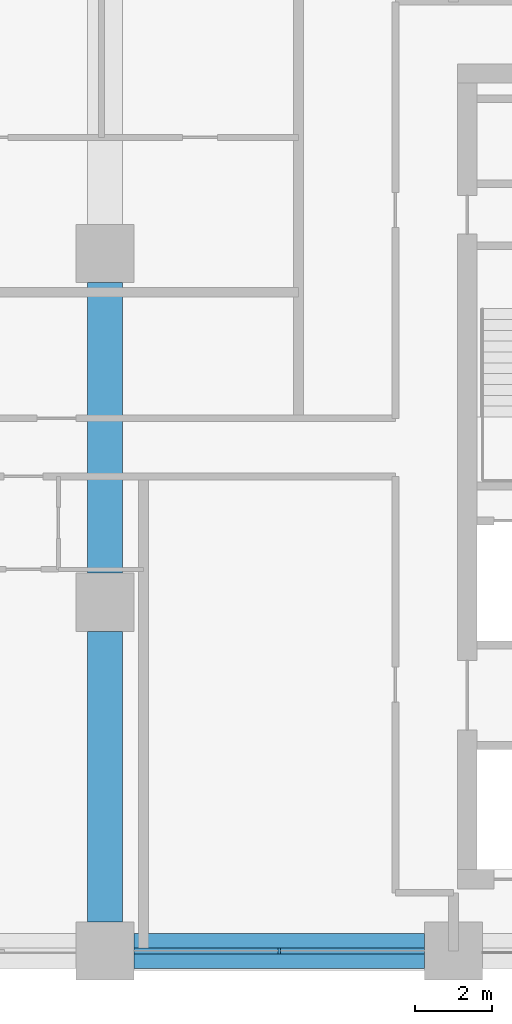
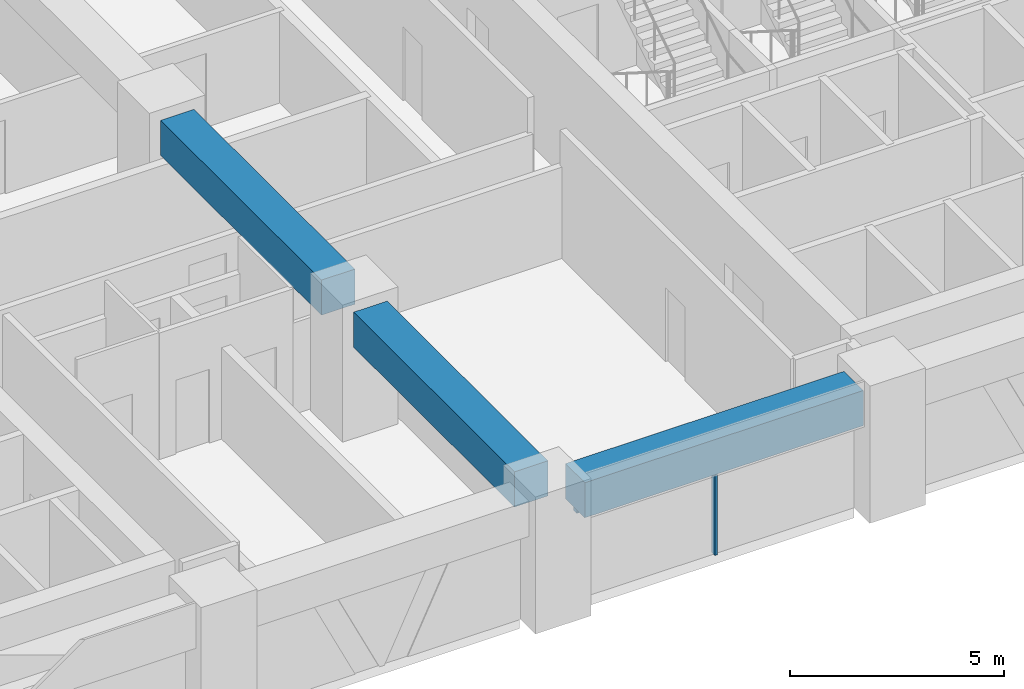
# One storey, part 3 of 14: 3 beams, 2 members, 1 element without a shape of its own.
"""IFC4 building model written with IfcOpenShell, lengths in metres."""

import ifcopenshell
import ifcopenshell.guid

model = None  # the IFC model being written
_history = None  # IfcOwnerHistory: only IFC2X3 demands one
_inside = {}  # id of a spatial element -> (the spatial element, [elements in it])
_under = {}  # id of a project, library or spatial element -> (it, [spatial elements below it])
_declared = {}  # id of a project -> (the project, [libraries it declares])
_typed = {}  # id of a type object -> (the type object, [elements of that type])
_made_of = {}  # id of a material, layer set ... -> (it, [elements and type objects made of it])


def new_model(schema):
    """Start an empty IFC model of exactly this schema.

    Asked for "IFC4X3", IfcOpenShell would pick the latest addendum, in which some entities
    have other attributes; the version numbers below select the first issue.
    IFC2X3 requires an IfcOwnerHistory on every rooted entity: one is made here for all.
    """
    global model, _history
    if schema == "IFC4X3":
        model = ifcopenshell.file(schema_version=(4, 3, 0, 0))
    else:
        model = ifcopenshell.file(schema=schema)
    _inside.clear()
    _under.clear()
    _declared.clear()
    _typed.clear()
    _made_of.clear()
    _history = None
    if model.schema == "IFC2X3":
        org = make("IfcOrganization", Name="unknown")
        user = make(
            "IfcPersonAndOrganization",
            ThePerson=make("IfcPerson", FamilyName="unknown"),
            TheOrganization=org,
        )
        app = make(
            "IfcApplication",
            ApplicationDeveloper=org,
            Version="unknown",
            ApplicationFullName="unknown",
            ApplicationIdentifier="unknown",
        )
        _history = make(
            "IfcOwnerHistory",
            OwningUser=user,
            OwningApplication=app,
            ChangeAction="ADDED",
            CreationDate=0,
        )
    return model


def make(cls, **values):
    """One entity of the class cls with the attributes given. An attribute that is None is left unset."""
    return model.create_entity(
        cls, **{name: value for name, value in values.items() if value is not None}
    )


def rooted(cls, **values):
    """An entity with a GlobalId (a new one), such as an element, a storey or a relation."""
    return make(cls, GlobalId=ifcopenshell.guid.new(), OwnerHistory=_history, **values)


def si_unit(unit_type, name, prefix=None):
    """IfcSIUnit, for example si_unit("LENGTHUNIT", "METRE", prefix="MILLI")."""
    return make("IfcSIUnit", UnitType=unit_type, Prefix=prefix, Name=name)


def assignment(units):
    """IfcUnitAssignment: the units of a project."""
    return None if units is None else make("IfcUnitAssignment", Units=units)


def point(xyz):
    """IfcCartesianPoint."""
    return None if xyz is None else make("IfcCartesianPoint", Coordinates=xyz)


def direction(xyz):
    """IfcDirection."""
    return None if xyz is None else make("IfcDirection", DirectionRatios=xyz)


def frame(location, z_axis=None, x_axis=None):
    """IfcAxis2Placement3D, a coordinate frame: its origin and axes. An axis left out is left unset."""
    return make(
        "IfcAxis2Placement3D",
        Location=point(location),
        Axis=direction(z_axis),
        RefDirection=direction(x_axis),
    )


def frame_2d(location, x_axis=None):
    """IfcAxis2Placement2D, a coordinate frame in the plane: its origin and x axis."""
    return make(
        "IfcAxis2Placement2D", Location=point(location), RefDirection=direction(x_axis)
    )


def origin():
    """The frame at (0, 0, 0) with its axes left unset."""
    return frame((0.0, 0.0, 0.0))


def origin_2d():
    """The frame at (0, 0) in the plane with its x axis left unset."""
    return frame_2d((0.0, 0.0))


def place(relative_to, where):
    """IfcLocalPlacement: puts the frame where relative to a parent placement (None: the world)."""
    return make(
        "IfcLocalPlacement", PlacementRelTo=relative_to, RelativePlacement=where
    )


def context(
    kind, dimensions, precision=None, world=None, true_north=None, identifier=None
):
    """IfcGeometricRepresentationContext, for example the 3D "Model" context."""
    return make(
        "IfcGeometricRepresentationContext",
        ContextIdentifier=identifier,
        ContextType=kind,
        CoordinateSpaceDimension=dimensions,
        Precision=precision,
        WorldCoordinateSystem=world,
        TrueNorth=true_north,
    )


def subcontext(parent, identifier, kind, view, scale=None):
    """IfcGeometricRepresentationSubContext, for example "Body" below "Model"."""
    return make(
        "IfcGeometricRepresentationSubContext",
        ContextIdentifier=identifier,
        ContextType=kind,
        ParentContext=parent,
        TargetScale=scale,
        TargetView=view,
    )


def project(units=None, contexts=None):
    """IfcProject with its units and contexts."""
    return rooted(
        "IfcProject",
        Name="project",
        RepresentationContexts=contexts,
        UnitsInContext=assignment(units),
    )


def spatial(cls, under=None, at=None, **own):
    """A site, building, storey or space (cls), placed at a placement, below another one or the project."""
    s = rooted(cls, ObjectPlacement=at, **own)
    if under is not None:
        _under.setdefault(under.id(), (under, []))[1].append(s)
    return s


def profile(cls, at=None, kind="AREA", **sizes):
    """A parametric profile (cls). Its sizes go by their IFC names, for example OverallWidth=200.0."""
    return make(cls, ProfileType=kind, Position=at, **sizes)


def rectangle(**sizes):
    """IfcRectangleProfileDef."""
    return profile("IfcRectangleProfileDef", **sizes)


def extrude(swept, where, along, depth):
    """IfcExtrudedAreaSolid: the profile swept, set in the frame where, extruded along a direction by depth."""
    return make(
        "IfcExtrudedAreaSolid",
        SweptArea=swept,
        Position=where,
        ExtrudedDirection=direction(along),
        Depth=depth,
    )


def shape(context_of_items, identifier, shape_type, items):
    """IfcShapeRepresentation: the items that make up one representation, for example the "Body"."""
    return make(
        "IfcShapeRepresentation",
        ContextOfItems=context_of_items,
        RepresentationIdentifier=identifier,
        RepresentationType=shape_type,
        Items=items,
    )


def material(Name=None, Category=None):
    """IfcMaterial."""
    return make("IfcMaterial", Name=Name, Category=Category)


def material_profile(
    of_material, cross_section, Name=None, Category=None, Priority=None
):
    """IfcMaterialProfile: a cross section and its material."""
    return make(
        "IfcMaterialProfile",
        Name=Name,
        Material=of_material,
        Profile=cross_section,
        Priority=Priority,
        Category=Category,
    )


def profile_set(profiles, Name=None, composite=None):
    """IfcMaterialProfileSet."""
    return make(
        "IfcMaterialProfileSet",
        Name=Name,
        MaterialProfiles=profiles,
        CompositeProfile=composite,
    )


def made_of(thing, what):
    """Note that an element or type object is made of a material, layer set ...; save() writes the relation."""
    if what is not None:
        _made_of.setdefault(what.id(), (what, []))[1].append(thing)
    return thing


def type_object(cls, material=None, **own):
    """A type object (cls), such as IfcWallType, which elements share."""
    return made_of(rooted(cls, **own), material)


def element(
    cls,
    number,
    at=None,
    inside=None,
    cuts=None,
    type_object=None,
    material=None,
    context=None,
    identifier="Body",
    shape_type=None,
    held_by="IfcProductDefinitionShape",
    body=None,
    shapes=None,
    **own,
):
    """One element of the class cls, such as IfcWall. Its Tag is "e" and its number.

    at: its placement. inside: the storey or other place that contains it. cuts: it is an
    opening in that element (IfcRelVoidsElement). A single representation is given by context,
    identifier, shape_type and body (its items); several are given by shapes. held_by: the class
    of the entity that holds the representations. save() writes the other relations.
    """
    e = rooted(cls, Tag="e%d" % number, ObjectPlacement=at, **own)
    if body is not None:
        shapes = [shape(context, identifier, shape_type, body)]
    if shapes is not None:
        e.Representation = make(held_by, Representations=shapes)
    if inside is not None:
        _inside.setdefault(inside.id(), (inside, []))[1].append(e)
    if cuts is not None:
        rooted(
            "IfcRelVoidsElement", RelatingBuildingElement=cuts, RelatedOpeningElement=e
        )
    if type_object is not None:
        _typed.setdefault(type_object.id(), (type_object, []))[1].append(e)
    return made_of(e, material)


def aggregate(whole, parts):
    """IfcRelAggregates: a whole, such as a stair, and the parts it consists of."""
    return rooted("IfcRelAggregates", RelatingObject=whole, RelatedObjects=parts)


def save(model, path):
    """Write the relations noted so far, then the file.

    IfcRelAggregates (storeys below a building ...), IfcRelContainedInSpatialStructure (elements
    in a storey), IfcRelDefinesByType, IfcRelAssociatesMaterial and IfcRelDeclares: one each for
    every whole, place, type object, material and project.
    """
    for whole, parts in _under.values():
        aggregate(whole, parts)
    for where, things in _inside.values():
        rooted(
            "IfcRelContainedInSpatialStructure",
            RelatedElements=things,
            RelatingStructure=where,
        )
    for kind, things in _typed.values():
        rooted("IfcRelDefinesByType", RelatedObjects=things, RelatingType=kind)
    for what, things in _made_of.values():
        rooted("IfcRelAssociatesMaterial", RelatedObjects=things, RelatingMaterial=what)
    for by, libraries in _declared.values():
        rooted("IfcRelDeclares", RelatingContext=by, RelatedDefinitions=libraries)
    model.write(path)


model = new_model("IFC4")

# Units and contexts
model_context = context("Model", 3, precision=1e-05, world=origin(), true_north=direction((0.0, 1.0)))
body_context = subcontext(model_context, "Body", "Model", "MODEL_VIEW")
ifc_project = project(units=[si_unit("LENGTHUNIT", "METRE"), si_unit("AREAUNIT", "SQUARE_METRE"), si_unit("VOLUMEUNIT", "CUBIC_METRE"), si_unit("PLANEANGLEUNIT", "RADIAN"), si_unit("MASSUNIT", "GRAM", prefix="KILO")], contexts=[model_context])

# Site, building, storey
site_placement = place(None, origin())
site = spatial("IfcSite", under=ifc_project, at=site_placement, CompositionType="ELEMENT")
building_placement = place(site_placement, origin())
building = spatial("IfcBuilding", under=site, at=building_placement, Name="Tessera Arch", CompositionType="ELEMENT")
storey_placement = place(building_placement, frame((0.0, 0.0, 173.89990234375)))
storey = spatial("IfcBuildingStorey", under=building, at=storey_placement, Name="L41", CompositionType="ELEMENT", Elevation=173.89990234375)

# Curtain wall, members
ifc_material_1 = material(Name="CW1 curtain wall")
curtain_wall_type = type_object("IfcCurtainWallType", Name="CW1 curtain wall", PredefinedType="NOTDEFINED", material=ifc_material_1)
curtain_wall_placement = place(storey_placement, origin())
curtain_wall = element("IfcCurtainWall", 1, at=curtain_wall_placement, inside=storey, type_object=curtain_wall_type, Name="CW1 curtain wall S27.0/3 L41", PredefinedType="NOTDEFINED")
ifc_material_2 = material(Name="Anodised aluminium pale metal", Category="aluminium")
ifc_material_profile_1 = material_profile(ifc_material_2, rectangle(XDim=0.159912109375, YDim=0.06005859375, at=origin_2d()), Name="AL 60x160")
ifc_profile_set_1 = profile_set([ifc_material_profile_1], Name="Anodised aluminium pale metal")
member_type_1 = type_object("IfcMemberType", Name="CW1 mullion", PredefinedType="MULLION", material=ifc_profile_set_1)
member_1_placement = place(storey_placement, frame((31.5, 27.0, 0.0), z_axis=(0.0, 0.0, 1.0), x_axis=(0.0, 1.0, 0.0)))
member_1 = element("IfcMember", 2, at=member_1_placement, type_object=member_type_1, Name="CW1 mullion S27.0/3 1", PredefinedType="MULLION", context=body_context, shape_type="SweptSolid", body=[
    extrude(rectangle(XDim=0.159912109375, YDim=0.06005859375, at=origin_2d()), origin(), (0.0, 0.0, 1.0), 2.5),
])
ifc_material_3 = material(Name="Anodised aluminium pale metal", Category="aluminium")
ifc_material_profile_2 = material_profile(ifc_material_3, rectangle(XDim=0.159912109375, YDim=0.10009765625, at=origin_2d()), Name="AL 160x100")
ifc_profile_set_2 = profile_set([ifc_material_profile_2], Name="Anodised aluminium pale metal")
member_type_2 = type_object("IfcMemberType", Name="CW1 transom", PredefinedType="USERDEFINED", material=ifc_profile_set_2)
member_2_placement = place(storey_placement, frame((27.75, 27.0, 2.550048828125), z_axis=(1.0, 0.0, 0.0), x_axis=(0.0, 1.0, 0.0)))
member_2 = element("IfcMember", 3, at=member_2_placement, type_object=member_type_2, Name="CW1 transom S27.0/3 1.1", ObjectType="TRANSOM", PredefinedType="USERDEFINED", context=body_context, shape_type="SweptSolid", body=[
    extrude(rectangle(XDim=0.159912109375, YDim=0.10009765625, at=origin_2d()), origin(), (0.0, 0.0, 1.0), 7.5),
])
aggregate(curtain_wall, [member_1, member_2])

# Beams
ifc_material_4 = material(Name="Concrete C70/85", Category="concrete")
ifc_material_profile_3 = material_profile(ifc_material_4, rectangle(XDim=0.89990234375, YDim=1.0, at=origin_2d()), Name="RC spandrel beam 900 x 1000 Concrete C70/85")
ifc_profile_set_3 = profile_set([ifc_material_profile_3], Name="Concrete C70/85")
beam_type = type_object("IfcBeamType", Name="RC spandrel beam 900 x 1000 Concrete C70/85", PredefinedType="BEAM", material=ifc_profile_set_3)
for number, where, z_axis, x_axis, name in (
    (4, (27.75, 27.0, 3.10009765625), (1.0, 0.0, 0.0), (0.0, 1.0, 0.0), "Spandrel beam L41 S27.0/3"),
    (5, (27.0, 27.75, 3.10009765625), (0.0, 1.0, 0.0), (-1.0, 0.0, 0.0), "Interface beam L41 I0C4D-C4E"),
    (6, (27.0, 36.75, 3.10009765625), (0.0, 1.0, 0.0), (-1.0, 0.0, 0.0), "Interface beam L41 I0C4E-C4F"),
):
    element("IfcBeam", number, at=place(storey_placement, frame(where, z_axis=z_axis, x_axis=x_axis)), inside=storey, type_object=beam_type, Name=name, PredefinedType="BEAM", context=body_context, shape_type="SweptSolid", body=[
        extrude(rectangle(XDim=0.89990234375, YDim=1.0, at=origin_2d()), origin(), (0.0, 0.0, 1.0), 7.5),
    ])

save(model, "model.ifc")
